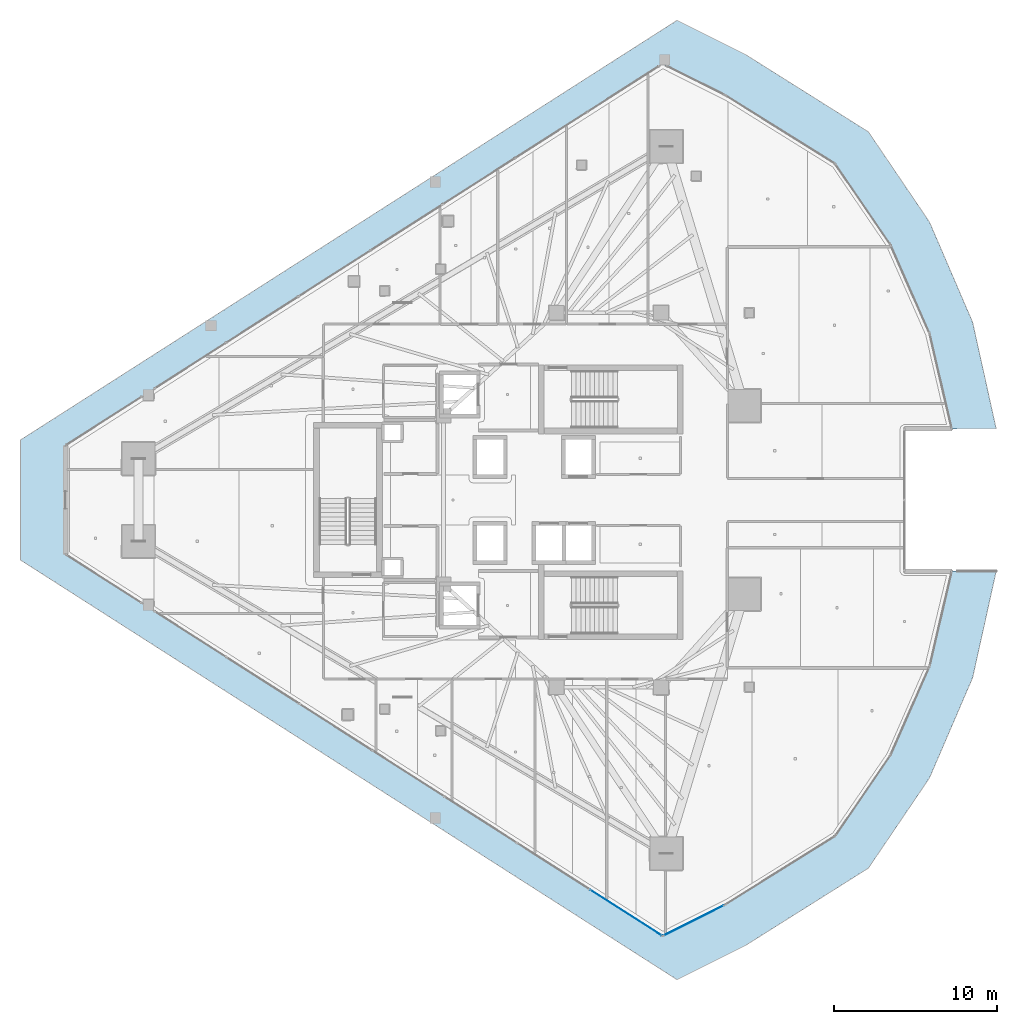
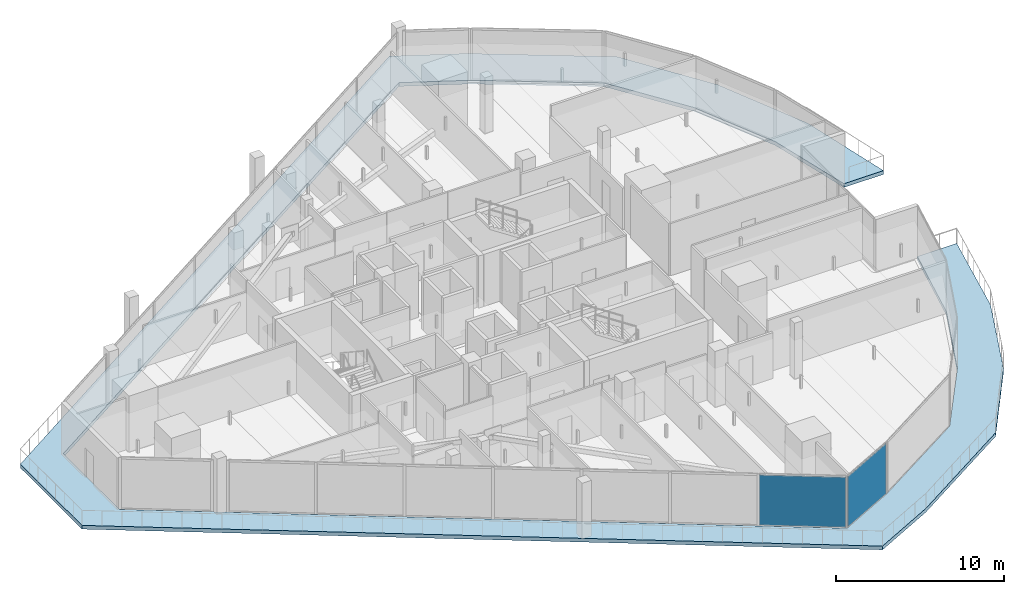
# One storey, part 29 of 43: 2 plates, 1 slab, 2 elements without a shape of their own.
"""IFC4 building model written with IfcOpenShell, lengths in metres."""

from ifc_helpers import new_model, si_unit, direction, frame, origin, origin_2d, place, context, subcontext, project, spatial, polyline, rectangle, outline, extrude, material, layer, layer_set, type_object, element, aggregate, save


model = new_model("IFC4")

# Units and contexts
model_context = context("Model", 3, precision=1e-05, world=origin(), true_north=direction((0.0, 1.0)))
body_context = subcontext(model_context, "Body", "Model", "MODEL_VIEW")
ifc_project = project(units=[si_unit("LENGTHUNIT", "METRE"), si_unit("AREAUNIT", "SQUARE_METRE"), si_unit("VOLUMEUNIT", "CUBIC_METRE"), si_unit("PLANEANGLEUNIT", "RADIAN"), si_unit("MASSUNIT", "GRAM", prefix="KILO")], contexts=[model_context])

# Site, building, storey
site_placement = place(None, origin())
site = spatial("IfcSite", under=ifc_project, at=site_placement, CompositionType="ELEMENT")
building_placement = place(site_placement, origin())
building = spatial("IfcBuilding", under=site, at=building_placement, Name="Qorvath Tower", CompositionType="ELEMENT")
storey_placement = place(building_placement, frame((0.0, 0.0, 213.14990234375)))
storey = spatial("IfcBuildingStorey", under=building, at=storey_placement, Name="L49", CompositionType="ELEMENT", Elevation=213.14990234375)

# Curtain wall, plate
ifc_material_1 = material(Name="Anodised aluminium and triple low-E glass", Category="aluminium")
ifc_layer_1 = layer(ifc_material_1, 0.179931640625)
ifc_layer_set_1 = layer_set([ifc_layer_1], Name="CW-SYS-3")
curtain_wall_type = type_object("IfcCurtainWallType", Name="CW-SYS-3", PredefinedType="NOTDEFINED", material=ifc_layer_set_1)
curtain_wall_1_placement = place(storey_placement, origin())
curtain_wall_1 = element("IfcCurtainWall", 1, at=curtain_wall_1_placement, inside=storey, type_object=curtain_wall_type, Name="Curtain Wall CW-3 CW-T-L49-2.2", PredefinedType="NOTDEFINED")
ifc_material_2 = material(Name="Low-E triple insulated glass", Category="glass")
ifc_layer_2 = layer(ifc_material_2, 0.031982421875)
ifc_layer_set_2 = layer_set([ifc_layer_2], Name="CWP-GLZ-32")
plate_type = type_object("IfcPlateType", Name="CWP-GLZ-32", PredefinedType="CURTAIN_PANEL", material=ifc_layer_set_2)
plate_1_placement = place(storey_placement, frame((-19.3427734375, -25.250732421875, 0.06494140625), z_axis=(0.0, 0.0, 1.0), x_axis=(0.842604708723, -0.538532547612, 0.0)))
plate_1 = element("IfcPlate", 2, at=plate_1_placement, type_object=plate_type, Name="CW-3 panel 7.1", PredefinedType="CURTAIN_PANEL", context=body_context, shape_type="SweptSolid", body=[
    extrude(rectangle(XDim=5.177490234375, YDim=0.031982421875, at=origin_2d()), origin(), (0.0, 0.0, 1.0), 3.64990234375),
])
aggregate(curtain_wall_1, [plate_1])

curtain_wall_2_placement = place(storey_placement, origin())
curtain_wall_2 = element("IfcCurtainWall", 3, at=curtain_wall_2_placement, inside=storey, type_object=curtain_wall_type, Name="Curtain Wall CW-3 CW-T-L49-3.1", PredefinedType="NOTDEFINED")
plate_2_placement = place(storey_placement, frame((-15.200927734375, -25.72705078125, 0.06494140625), z_axis=(0.0, 0.0, 1.0), x_axis=(0.894450656928, 0.447166660566, 0.0)))
plate_2 = element("IfcPlate", 4, at=plate_2_placement, type_object=plate_type, Name="CW-3 panel 1.1", PredefinedType="CURTAIN_PANEL", context=body_context, shape_type="SweptSolid", body=[
    extrude(rectangle(XDim=4.13134765625, YDim=0.031982421875, at=origin_2d()), origin(), (0.0, 0.0, 1.0), 3.64990234375),
])
aggregate(curtain_wall_2, [plate_2])

# Slab
ifc_material_3 = material(Name="Precast concrete C45/55", Category="concrete")
ifc_layer_3 = layer(ifc_material_3, 0.27001953125)
ifc_layer_set_3 = layer_set([ifc_layer_3], Name="SL-LOG-270")
slab_type = type_object("IfcSlabType", Name="SL-LOG-270", PredefinedType="FLOOR", material=ifc_layer_set_3)
slab_placement = place(storey_placement, frame((0.0, 0.0, -0.27001953125)))
element("IfcSlab", 5, at=slab_placement, inside=storey, type_object=slab_type, Name="Tower L49 Perimeter Loggia and Terrace Slab", PredefinedType="FLOOR", context=body_context, shape_type="SweptSolid", body=[
    extrude(outline(polyline([(0.59423828125, -4.35791015625), (-0.75830078125, -10.16943359375), (-3.16064453125, -15.631591796875), (-6.530029296875, -20.556396484375), (-13.295166015625, -24.7744140625), (-17.106689453125, -26.679931640625), (-53.6328125, -3.3349609375), (-53.6328125, 3.3349609375), (-17.106689453125, 26.679931640625), (-13.295166015625, 24.7744140625), (-6.530029296875, 20.556396484375), (-3.16064453125, 15.631591796875), (-0.75830078125, 10.16943359375), (0.59423828125, 4.35791015625), (3.310791015625, 4.35791015625), (1.868896484375, 10.873291015625), (-0.770263671875, 17.00244140625), (-4.5126953125, 22.52734375), (-12.024658203125, 27.251953125), (-16.21728515625, 29.34814453125), (-56.396484375, 3.66845703125), (-56.396484375, -3.66845703125), (-16.21728515625, -29.34814453125), (-12.024658203125, -27.251953125), (-4.5126953125, -22.52734375), (-0.770263671875, -17.00244140625), (1.868896484375, -10.873291015625), (3.310791015625, -4.35791015625), (0.59423828125, -4.35791015625)])), origin(), (0.0, 0.0, 1.0), 0.27001953125),
])

save(model, "model.ifc")
